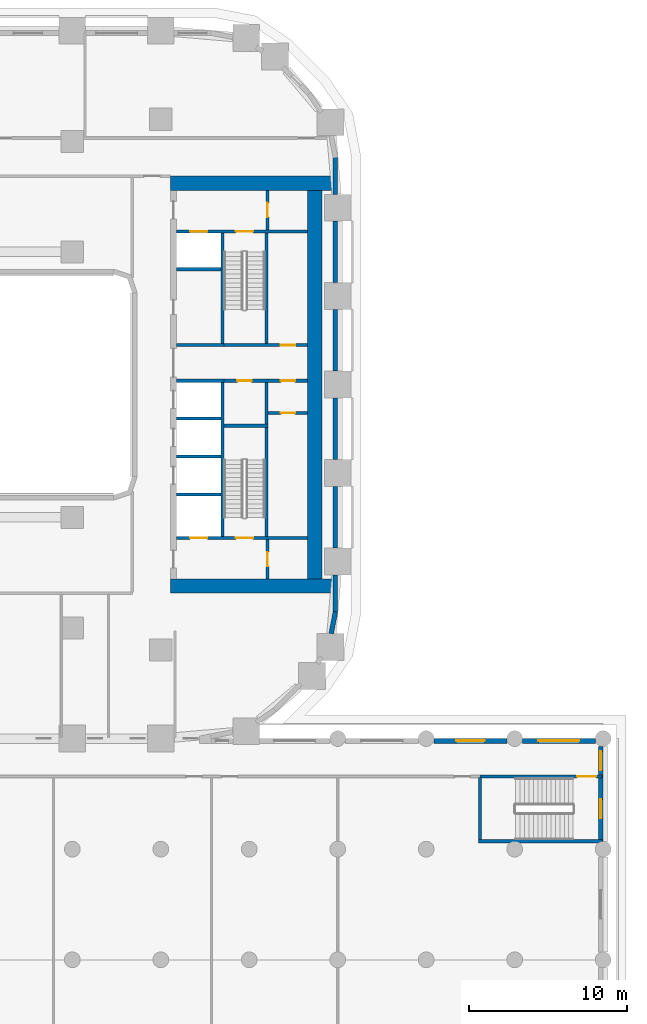
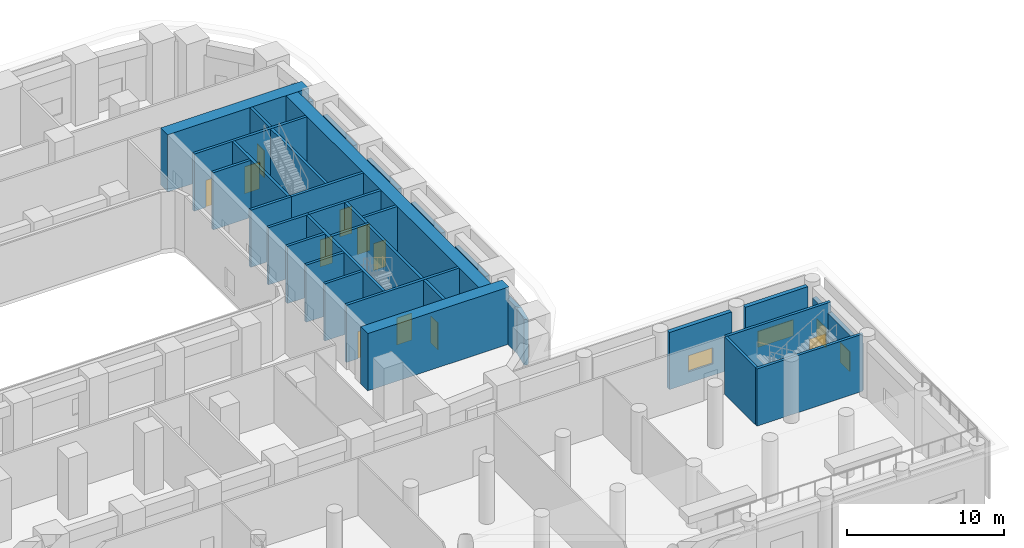
# One storey, part 12 of 23: 35 walls, 11 doors, 4 windows, 15 openings.
"""IFC4 building model written with IfcOpenShell, lengths in metres."""

from ifc_helpers import new_model, si_unit, direction, frame, frame_2d, origin, place, context, subcontext, project, spatial, rectangle, extrude, material, layer, layer_set, type_object, element, fill, save


model = new_model("IFC4")

# Units and contexts
model_context = context("Model", 3, precision=1e-05, world=origin(), true_north=direction((0.0, 1.0)))
body_context = subcontext(model_context, "Body", "Model", "MODEL_VIEW")
ifc_project = project(units=[si_unit("LENGTHUNIT", "METRE"), si_unit("AREAUNIT", "SQUARE_METRE"), si_unit("VOLUMEUNIT", "CUBIC_METRE"), si_unit("PLANEANGLEUNIT", "RADIAN"), si_unit("MASSUNIT", "GRAM", prefix="KILO")], contexts=[model_context])

# Site, building, storey
site_placement = place(None, origin())
site = spatial("IfcSite", under=ifc_project, at=site_placement, CompositionType="ELEMENT")
building_placement = place(site_placement, origin())
building = spatial("IfcBuilding", under=site, at=building_placement, Name="Kiln Ring Residences", CompositionType="ELEMENT")
storey_placement = place(building_placement, frame((0.0, 0.0, 16.10009765625)))
storey = spatial("IfcBuildingStorey", under=building, at=storey_placement, Name="L03", CompositionType="ELEMENT", Elevation=16.10009765625)

# Wall
ifc_material_1 = material(Name="Gypsum board on steel studs", Category="steel")
ifc_layer_1 = layer(ifc_material_1, 0.199951171875)
ifc_layer_set_1 = layer_set([ifc_layer_1], Name="CORE-PARTITION-200")
wall_type_1 = type_object("IfcWallType", Name="CORE-PARTITION-200", PredefinedType="PARTITIONING", material=ifc_layer_set_1)
wall_1_placement = place(storey_placement, frame((23.5, -2.5, 0.0), z_axis=(0.0, 0.0, 1.0), x_axis=(0.0, 1.0, 0.0)))
element("IfcWall", 1, at=wall_1_placement, inside=storey, type_object=wall_type_1, Name="Core partition east L03 1", PredefinedType="PARTITIONING", context=body_context, shape_type="SweptSolid", body=[
    extrude(rectangle(XDim=2.64990234375, YDim=0.199951171875, at=frame_2d((1.324951171875, 0.0))), origin(), (0.0, 0.0, 1.0), 4.449951171875),
])

# Wall, openings, doors
wall_2_placement = place(storey_placement, frame((20.800048828125, 0.25, 0.0), z_axis=(0.0, 0.0, 1.0), x_axis=(1.0, 0.0, 0.0)))
wall_2 = element("IfcWall", 2, at=wall_2_placement, inside=storey, type_object=wall_type_1, Name="Core partition east L03 2", PredefinedType="PARTITIONING", context=body_context, shape_type="SweptSolid", body=[
    extrude(rectangle(XDim=5.300048828125, YDim=0.199951171875, at=frame_2d((2.64990234375, 0.0))), origin(), (0.0, 0.0, 1.0), 4.449951171875),
])
opening_1_placement = place(wall_2_placement, frame((0.85009765625, 0.0, 0.0)))
opening_1 = element("IfcOpeningElement", 3, at=opening_1_placement, cuts=wall_2, Name="Opening L03-CE14", PredefinedType="OPENING", context=body_context, shape_type="SweptSolid", body=[
    extrude(rectangle(XDim=0.89990234375, YDim=2.10009765625, at=frame_2d((0.449951171875, 1.050048828125))), frame((0.0, 0.10986328125, 0.0), z_axis=(0.0, -1.0, 0.0), x_axis=(1.0, 0.0, 0.0)), (0.0, 0.0, 1.0), 0.219970703125),
])
opening_2_placement = place(wall_2_placement, frame((3.60009765625, 0.0, 0.0)))
opening_2 = element("IfcOpeningElement", 4, at=opening_2_placement, cuts=wall_2, Name="Opening L03-CE16", PredefinedType="OPENING", context=body_context, shape_type="SweptSolid", body=[
    extrude(rectangle(XDim=0.89990234375, YDim=2.10009765625, at=frame_2d((0.449951171875, 1.050048828125))), frame((0.0, 0.10986328125, 0.0), z_axis=(0.0, -1.0, 0.0), x_axis=(1.0, 0.0, 0.0)), (0.0, 0.0, 1.0), 0.219970703125),
])
ifc_material_2 = material(Name="Steel door leaf", Category="steel")
door_type_1 = type_object("IfcDoorType", Name="CORE-DOOR-ROOM", OperationType="SINGLE_SWING_LEFT", PredefinedType="DOOR", material=ifc_material_2)
door_1_placement = place(opening_1_placement, origin())
door_1 = element("IfcDoor", 5, at=door_1_placement, inside=storey, type_object=door_type_1, Name="Linen store L03-CE14", OperationType="SINGLE_SWING_LEFT", OverallHeight=2.10009765625, OverallWidth=0.89990234375, PredefinedType="DOOR", context=body_context, shape_type="SweptSolid", body=[
    extrude(rectangle(XDim=0.89990234375, YDim=2.10009765625, at=frame_2d((0.449951171875, 1.050048828125))), frame((0.0, 0.02490234375, 0.0), z_axis=(0.0, -1.0, 0.0), x_axis=(1.0, 0.0, 0.0)), (0.0, 0.0, 1.0), 0.050048828125),
])
fill(opening_1, door_1)
door_2_placement = place(opening_2_placement, origin())
door_2 = element("IfcDoor", 6, at=door_2_placement, inside=storey, type_object=door_type_1, Name="Pump and valve room L03-CE16", OperationType="SINGLE_SWING_LEFT", OverallHeight=2.10009765625, OverallWidth=0.89990234375, PredefinedType="DOOR", context=body_context, shape_type="SweptSolid", body=[
    extrude(rectangle(XDim=0.89990234375, YDim=2.10009765625, at=frame_2d((0.449951171875, 1.050048828125))), frame((0.0, 0.02490234375, 0.0), z_axis=(0.0, -1.0, 0.0), x_axis=(1.0, 0.0, 0.0)), (0.0, 0.0, 1.0), 0.050048828125),
])
fill(opening_2, door_2)

# Wall, opening, door
wall_3_placement = place(storey_placement, frame((23.550048828125, 9.800048828125, 0.0), z_axis=(0.0, 0.0, 1.0), x_axis=(0.0, 1.0, 0.0)))
wall_3 = element("IfcWall", 7, at=wall_3_placement, inside=storey, type_object=wall_type_1, Name="Core partition east L03 3", PredefinedType="PARTITIONING", context=body_context, shape_type="SweptSolid", body=[
    extrude(rectangle(XDim=2.5, YDim=0.199951171875, at=frame_2d((1.25, 0.0))), origin(), (0.0, 0.0, 1.0), 4.449951171875),
])
opening_3_placement = place(wall_3_placement, frame((0.800048828125, 0.0, 0.0)))
opening_3 = element("IfcOpeningElement", 8, at=opening_3_placement, cuts=wall_3, Name="Opening L03-CE09", PredefinedType="OPENING", context=body_context, shape_type="SweptSolid", body=[
    extrude(rectangle(XDim=0.89990234375, YDim=2.10009765625, at=frame_2d((0.449951171875, 1.050048828125))), frame((0.0, 0.10986328125, 0.0), z_axis=(0.0, -1.0, 0.0), x_axis=(1.0, 0.0, 0.0)), (0.0, 0.0, 1.0), 0.219970703125),
])
door_3_placement = place(opening_3_placement, origin())
door_3 = element("IfcDoor", 9, at=door_3_placement, inside=storey, type_object=door_type_1, Name="Fire riser room L03-CE09", OperationType="SINGLE_SWING_RIGHT", OverallHeight=2.10009765625, OverallWidth=0.89990234375, PredefinedType="DOOR", context=body_context, shape_type="SweptSolid", body=[
    extrude(rectangle(XDim=0.89990234375, YDim=2.10009765625, at=frame_2d((0.449951171875, 1.050048828125))), frame((0.0, 0.02490234375, 0.0), z_axis=(0.0, -1.0, 0.0), x_axis=(1.0, 0.0, 0.0)), (0.0, 0.0, 1.0), 0.050048828125),
])
fill(opening_3, door_3)

wall_4_placement = place(storey_placement, frame((23.550048828125, -12.300048828125, 0.0), z_axis=(0.0, 0.0, 1.0), x_axis=(0.0, 1.0, 0.0)))
wall_4 = element("IfcWall", 10, at=wall_4_placement, inside=storey, type_object=wall_type_1, Name="Core partition east L03 4", PredefinedType="PARTITIONING", context=body_context, shape_type="SweptSolid", body=[
    extrude(rectangle(XDim=2.5, YDim=0.199951171875, at=frame_2d((1.25, 0.0))), origin(), (0.0, 0.0, 1.0), 4.449951171875),
])
opening_4_placement = place(wall_4_placement, frame((0.800048828125, 0.0, 0.0)))
opening_4 = element("IfcOpeningElement", 11, at=opening_4_placement, cuts=wall_4, Name="Opening L03-CE10", PredefinedType="OPENING", context=body_context, shape_type="SweptSolid", body=[
    extrude(rectangle(XDim=0.89990234375, YDim=2.10009765625, at=frame_2d((0.449951171875, 1.050048828125))), frame((0.0, 0.10986328125, 0.0), z_axis=(0.0, -1.0, 0.0), x_axis=(1.0, 0.0, 0.0)), (0.0, 0.0, 1.0), 0.219970703125),
])
door_4_placement = place(opening_4_placement, origin())
door_4 = element("IfcDoor", 12, at=door_4_placement, inside=storey, type_object=door_type_1, Name="Store L03-CE10", OperationType="SINGLE_SWING_LEFT", OverallHeight=2.10009765625, OverallWidth=0.89990234375, PredefinedType="DOOR", context=body_context, shape_type="SweptSolid", body=[
    extrude(rectangle(XDim=0.89990234375, YDim=2.10009765625, at=frame_2d((0.449951171875, 1.050048828125))), frame((0.0, 0.02490234375, 0.0), z_axis=(0.0, -1.0, 0.0), x_axis=(1.0, 0.0, 0.0)), (0.0, 0.0, 1.0), 0.050048828125),
])
fill(opening_4, door_4)

wall_5_placement = place(storey_placement, frame((23.60009765625, -1.800048828125, 0.0), z_axis=(0.0, 0.0, 1.0), x_axis=(1.0, 0.0, 0.0)))
wall_5 = element("IfcWall", 13, at=wall_5_placement, inside=storey, type_object=wall_type_1, Name="Core partition east L03 5", PredefinedType="PARTITIONING", context=body_context, shape_type="SweptSolid", body=[
    extrude(rectangle(XDim=2.5, YDim=0.199951171875, at=frame_2d((1.25, 0.0))), origin(), (0.0, 0.0, 1.0), 4.449951171875),
])
opening_5_placement = place(wall_5_placement, frame((0.800048828125, 0.0, 0.0)))
opening_5 = element("IfcOpeningElement", 14, at=opening_5_placement, cuts=wall_5, Name="Opening L03-CE15", PredefinedType="OPENING", context=body_context, shape_type="SweptSolid", body=[
    extrude(rectangle(XDim=0.89990234375, YDim=2.10009765625, at=frame_2d((0.449951171875, 1.050048828125))), frame((0.0, 0.10986328125, 0.0), z_axis=(0.0, -1.0, 0.0), x_axis=(1.0, 0.0, 0.0)), (0.0, 0.0, 1.0), 0.219970703125),
])
door_5_placement = place(opening_5_placement, origin())
door_5 = element("IfcDoor", 15, at=door_5_placement, inside=storey, type_object=door_type_1, Name="Pump and valve room L03-CE15", OperationType="SINGLE_SWING_LEFT", OverallHeight=2.10009765625, OverallWidth=0.89990234375, PredefinedType="DOOR", context=body_context, shape_type="SweptSolid", body=[
    extrude(rectangle(XDim=0.89990234375, YDim=2.10009765625, at=frame_2d((0.449951171875, 1.050048828125))), frame((0.0, 0.02490234375, 0.0), z_axis=(0.0, -1.0, 0.0), x_axis=(1.0, 0.0, 0.0)), (0.0, 0.0, 1.0), 0.050048828125),
])
fill(opening_5, door_5)

# Walls
ifc_material_3 = material(Name="Gypsum shaft wall system")
ifc_layer_2 = layer(ifc_material_3, 0.199951171875)
ifc_layer_set_2 = layer_set([ifc_layer_2], Name="CORE-SHAFT-WALL-200")
wall_type_2 = type_object("IfcWallType", Name="CORE-SHAFT-WALL-200", PredefinedType="PARTITIONING", material=ifc_layer_set_2)
for number, where, z_axis, x_axis, name in (
    (16, (17.800048828125, -6.949951171875, 0.0), (0.0, 0.0, 1.0), (1.0, 0.0, 0.0), "Core partition east L03 6"),
    (17, (17.800048828125, -4.550048828125, 0.0), (0.0, 0.0, 1.0), (1.0, 0.0, 0.0), "Core partition east L03 7"),
    (18, (17.800048828125, -2.14990234375, 0.0), (0.0, 0.0, 1.0), (1.0, 0.0, 0.0), "Core partition east L03 8"),
):
    element("IfcWall", number, at=place(storey_placement, frame(where, z_axis=z_axis, x_axis=x_axis)), inside=storey, type_object=wall_type_2, Name=name, PredefinedType="PARTITIONING", context=body_context, shape_type="SweptSolid", body=[
        extrude(rectangle(XDim=2.800048828125, YDim=0.199951171875, at=frame_2d((1.39990234375, 0.0))), origin(), (0.0, 0.0, 1.0), 4.449951171875),
    ])
for number, where, z_axis, x_axis, name in (
    (19, (17.800048828125, 0.25, 0.0), (0.0, 0.0, 1.0), (1.0, 0.0, 0.0), "Core partition east L03 9"),
    (20, (17.800048828125, 2.5, 0.0), (0.0, 0.0, 1.0), (1.0, 0.0, 0.0), "Core partition east L03 10"),
):
    element("IfcWall", number, at=place(storey_placement, frame(where, z_axis=z_axis, x_axis=x_axis)), inside=storey, type_object=wall_type_2, Name=name, PredefinedType="PARTITIONING", context=body_context, shape_type="SweptSolid", body=[
        extrude(rectangle(XDim=3.0, YDim=0.199951171875, at=frame_2d((1.5, 0.0))), origin(), (0.0, 0.0, 1.0), 4.449951171875),
    ])
wall_6_placement = place(storey_placement, frame((17.800048828125, 7.300048828125, 0.0), z_axis=(0.0, 0.0, 1.0), x_axis=(1.0, 0.0, 0.0)))
element("IfcWall", 21, at=wall_6_placement, inside=storey, type_object=wall_type_2, Name="Core partition east L03 11", PredefinedType="PARTITIONING", context=body_context, shape_type="SweptSolid", body=[
    extrude(rectangle(XDim=2.800048828125, YDim=0.199951171875, at=frame_2d((1.39990234375, 0.0))), origin(), (0.0, 0.0, 1.0), 4.449951171875),
])
ifc_material_4 = material(Name="Concrete C40/50", Category="concrete")
ifc_layer_3 = layer(ifc_material_4, 0.199951171875)
ifc_layer_set_3 = layer_set([ifc_layer_3], Name="CORE-WALL-RC200")
wall_type_3 = type_object("IfcWallType", Name="CORE-WALL-RC200", PredefinedType="SHEAR", material=ifc_layer_set_3)
wall_7_placement = place(storey_placement, frame((20.699951171875, 2.60009765625, 0.0), z_axis=(0.0, 0.0, 1.0), x_axis=(0.0, 1.0, 0.0)))
element("IfcWall", 22, at=wall_7_placement, inside=storey, type_object=wall_type_3, Name="Core wall east L03 1", PredefinedType="SHEAR", context=body_context, shape_type="SweptSolid", body=[
    extrude(rectangle(XDim=7.0, YDim=0.199951171875, at=frame_2d((3.5, 0.0))), origin(), (0.0, 0.0, 1.0), 4.449951171875),
])
wall_8_placement = place(storey_placement, frame((20.699951171875, -9.60009765625, 0.0), z_axis=(0.0, 0.0, 1.0), x_axis=(0.0, 1.0, 0.0)))
element("IfcWall", 23, at=wall_8_placement, inside=storey, type_object=wall_type_3, Name="Core wall east L03 2", PredefinedType="SHEAR", context=body_context, shape_type="SweptSolid", body=[
    extrude(rectangle(XDim=9.75, YDim=0.199951171875, at=frame_2d((4.875, 0.0))), origin(), (0.0, 0.0, 1.0), 4.449951171875),
])

# Wall, opening, door
wall_9_placement = place(storey_placement, frame((20.800048828125, 2.5, 0.0), z_axis=(0.0, 0.0, 1.0), x_axis=(1.0, 0.0, 0.0)))
wall_9 = element("IfcWall", 24, at=wall_9_placement, inside=storey, type_object=wall_type_3, Name="Core wall east L03 3", PredefinedType="SHEAR", context=body_context, shape_type="SweptSolid", body=[
    extrude(rectangle(XDim=5.300048828125, YDim=0.199951171875, at=frame_2d((2.64990234375, 0.0))), origin(), (0.0, 0.0, 1.0), 4.449951171875),
])
opening_6_placement = place(wall_9_placement, frame((3.60009765625, 0.0, 0.0)))
opening_6 = element("IfcOpeningElement", 25, at=opening_6_placement, cuts=wall_9, Name="Opening L03-CE17", PredefinedType="OPENING", context=body_context, shape_type="SweptSolid", body=[
    extrude(rectangle(XDim=0.89990234375, YDim=2.10009765625, at=frame_2d((0.449951171875, 1.050048828125))), frame((0.0, 0.10986328125, 0.0), z_axis=(0.0, -1.0, 0.0), x_axis=(1.0, 0.0, 0.0)), (0.0, 0.0, 1.0), 0.219970703125),
])
door_6_placement = place(opening_6_placement, origin())
door_6 = element("IfcDoor", 26, at=door_6_placement, inside=storey, type_object=door_type_1, Name="Electrical plant room L03-CE17", OperationType="SINGLE_SWING_LEFT", OverallHeight=2.10009765625, OverallWidth=0.89990234375, PredefinedType="DOOR", context=body_context, shape_type="SweptSolid", body=[
    extrude(rectangle(XDim=0.89990234375, YDim=2.10009765625, at=frame_2d((0.449951171875, 1.050048828125))), frame((0.0, 0.02490234375, 0.0), z_axis=(0.0, -1.0, 0.0), x_axis=(1.0, 0.0, 0.0)), (0.0, 0.0, 1.0), 0.050048828125),
])
fill(opening_6, door_6)

# Wall, openings, doors
wall_10_placement = place(storey_placement, frame((17.800048828125, -9.699951171875, 0.0), z_axis=(0.0, 0.0, 1.0), x_axis=(1.0, 0.0, 0.0)))
wall_10 = element("IfcWall", 27, at=wall_10_placement, inside=storey, type_object=wall_type_3, Name="Core wall east L03 8", PredefinedType="SHEAR", context=body_context, shape_type="SweptSolid", body=[
    extrude(rectangle(XDim=8.300048828125, YDim=0.199951171875, at=frame_2d((4.14990234375, 0.0))), origin(), (0.0, 0.0, 1.0), 4.449951171875),
])
opening_7_placement = place(wall_10_placement, frame((0.85009765625, 0.0, 0.0)))
opening_7 = element("IfcOpeningElement", 28, at=opening_7_placement, cuts=wall_10, Name="Opening L03-CE01", PredefinedType="OPENING", context=body_context, shape_type="SweptSolid", body=[
    extrude(rectangle(XDim=1.10009765625, YDim=2.10009765625, at=frame_2d((0.550048828125, 1.050048828125))), frame((0.0, 0.10986328125, 0.0), z_axis=(0.0, -1.0, 0.0), x_axis=(1.0, 0.0, 0.0)), (0.0, 0.0, 1.0), 0.219970703125),
])
opening_8_placement = place(wall_10_placement, frame((3.75, 0.0, 0.0)))
opening_8 = element("IfcOpeningElement", 29, at=opening_8_placement, cuts=wall_10, Name="Opening L03-CE12", PredefinedType="OPENING", context=body_context, shape_type="SweptSolid", body=[
    extrude(rectangle(XDim=1.10009765625, YDim=2.10009765625, at=frame_2d((0.550048828125, 1.050048828125))), frame((0.0, 0.10986328125, 0.0), z_axis=(0.0, -1.0, 0.0), x_axis=(1.0, 0.0, 0.0)), (0.0, 0.0, 1.0), 0.219970703125),
])
ifc_material_5 = material(Name="Steel door leaf", Category="steel")
door_type_2 = type_object("IfcDoorType", Name="CORE-DOOR-LD", OperationType="DOUBLE_DOOR_SLIDING", PredefinedType="DOOR", material=ifc_material_5)
door_7_placement = place(opening_7_placement, origin())
door_7 = element("IfcDoor", 30, at=door_7_placement, inside=storey, type_object=door_type_2, Name="LD E-SV L03-CE01", OperationType="DOUBLE_DOOR_SLIDING", OverallHeight=2.10009765625, OverallWidth=1.10009765625, PredefinedType="DOOR", context=body_context, shape_type="SweptSolid", body=[
    extrude(rectangle(XDim=1.10009765625, YDim=2.10009765625, at=frame_2d((0.550048828125, 1.050048828125))), frame((0.0, 0.02490234375, 0.0), z_axis=(0.0, -1.0, 0.0), x_axis=(1.0, 0.0, 0.0)), (0.0, 0.0, 1.0), 0.050048828125),
])
fill(opening_7, door_7)
ifc_material_6 = material(Name="Steel door leaf", Category="steel")
door_type_3 = type_object("IfcDoorType", Name="CORE-DOOR-STAIR", OperationType="SINGLE_SWING_LEFT", PredefinedType="DOOR", material=ifc_material_6)
door_8_placement = place(opening_8_placement, origin())
door_8 = element("IfcDoor", 31, at=door_8_placement, inside=storey, type_object=door_type_3, Name="Stair E-STS L03-CE12", OperationType="SINGLE_SWING_RIGHT", OverallHeight=2.10009765625, OverallWidth=1.10009765625, PredefinedType="DOOR", context=body_context, shape_type="SweptSolid", body=[
    extrude(rectangle(XDim=1.10009765625, YDim=2.10009765625, at=frame_2d((0.550048828125, 1.050048828125))), frame((0.0, 0.02490234375, 0.0), z_axis=(0.0, -1.0, 0.0), x_axis=(1.0, 0.0, 0.0)), (0.0, 0.0, 1.0), 0.050048828125),
])
fill(opening_8, door_8)

wall_11_placement = place(storey_placement, frame((17.800048828125, 9.699951171875, 0.0), z_axis=(0.0, 0.0, 1.0), x_axis=(1.0, 0.0, 0.0)))
wall_11 = element("IfcWall", 32, at=wall_11_placement, inside=storey, type_object=wall_type_3, Name="Core wall east L03 9", PredefinedType="SHEAR", context=body_context, shape_type="SweptSolid", body=[
    extrude(rectangle(XDim=8.300048828125, YDim=0.199951171875, at=frame_2d((4.14990234375, 0.0))), origin(), (0.0, 0.0, 1.0), 4.449951171875),
])
opening_9_placement = place(wall_11_placement, frame((0.85009765625, 0.0, 0.0)))
opening_9 = element("IfcOpeningElement", 33, at=opening_9_placement, cuts=wall_11, Name="Opening L03-CE06", PredefinedType="OPENING", context=body_context, shape_type="SweptSolid", body=[
    extrude(rectangle(XDim=1.10009765625, YDim=2.10009765625, at=frame_2d((0.550048828125, 1.050048828125))), frame((0.0, 0.10986328125, 0.0), z_axis=(0.0, -1.0, 0.0), x_axis=(1.0, 0.0, 0.0)), (0.0, 0.0, 1.0), 0.219970703125),
])
opening_10_placement = place(wall_11_placement, frame((3.75, 0.0, 0.0)))
opening_10 = element("IfcOpeningElement", 34, at=opening_10_placement, cuts=wall_11, Name="Opening L03-CE11", PredefinedType="OPENING", context=body_context, shape_type="SweptSolid", body=[
    extrude(rectangle(XDim=1.10009765625, YDim=2.10009765625, at=frame_2d((0.550048828125, 1.050048828125))), frame((0.0, 0.10986328125, 0.0), z_axis=(0.0, -1.0, 0.0), x_axis=(1.0, 0.0, 0.0)), (0.0, 0.0, 1.0), 0.219970703125),
])
door_9_placement = place(opening_9_placement, origin())
door_9 = element("IfcDoor", 35, at=door_9_placement, inside=storey, type_object=door_type_2, Name="LD E-FF L03-CE06", OperationType="DOUBLE_DOOR_SLIDING", OverallHeight=2.10009765625, OverallWidth=1.10009765625, PredefinedType="DOOR", context=body_context, shape_type="SweptSolid", body=[
    extrude(rectangle(XDim=1.10009765625, YDim=2.10009765625, at=frame_2d((0.550048828125, 1.050048828125))), frame((0.0, 0.02490234375, 0.0), z_axis=(0.0, -1.0, 0.0), x_axis=(1.0, 0.0, 0.0)), (0.0, 0.0, 1.0), 0.050048828125),
])
fill(opening_9, door_9)
door_10_placement = place(opening_10_placement, origin())
door_10 = element("IfcDoor", 36, at=door_10_placement, inside=storey, type_object=door_type_3, Name="Stair E-STN L03-CE11", OperationType="SINGLE_SWING_RIGHT", OverallHeight=2.10009765625, OverallWidth=1.10009765625, PredefinedType="DOOR", context=body_context, shape_type="SweptSolid", body=[
    extrude(rectangle(XDim=1.10009765625, YDim=2.10009765625, at=frame_2d((0.550048828125, 1.050048828125))), frame((0.0, 0.02490234375, 0.0), z_axis=(0.0, -1.0, 0.0), x_axis=(1.0, 0.0, 0.0)), (0.0, 0.0, 1.0), 0.050048828125),
])
fill(opening_10, door_10)

# Walls
wall_12_placement = place(storey_placement, frame((23.5, 2.60009765625, 0.0), z_axis=(0.0, 0.0, 1.0), x_axis=(0.0, 1.0, 0.0)))
element("IfcWall", 37, at=wall_12_placement, inside=storey, type_object=wall_type_3, Name="Core wall east L03 10", PredefinedType="SHEAR", context=body_context, shape_type="SweptSolid", body=[
    extrude(rectangle(XDim=7.0, YDim=0.199951171875, at=frame_2d((3.5, 0.0))), origin(), (0.0, 0.0, 1.0), 4.449951171875),
])
wall_13_placement = place(storey_placement, frame((23.5, -9.60009765625, 0.0), z_axis=(0.0, 0.0, 1.0), x_axis=(0.0, 1.0, 0.0)))
element("IfcWall", 38, at=wall_13_placement, inside=storey, type_object=wall_type_3, Name="Core wall east L03 11", PredefinedType="SHEAR", context=body_context, shape_type="SweptSolid", body=[
    extrude(rectangle(XDim=6.900146484375, YDim=0.199951171875, at=frame_2d((3.4501953125, 0.0))), origin(), (0.0, 0.0, 1.0), 4.449951171875),
])
wall_14_placement = place(storey_placement, frame((20.800048828125, -2.60009765625, 0.0), z_axis=(0.0, 0.0, 1.0), x_axis=(1.0, 0.0, 0.0)))
element("IfcWall", 39, at=wall_14_placement, inside=storey, type_object=wall_type_3, Name="Core wall east L03 12", PredefinedType="SHEAR", context=body_context, shape_type="SweptSolid", body=[
    extrude(rectangle(XDim=2.800048828125, YDim=0.199951171875, at=frame_2d((1.39990234375, 0.0))), origin(), (0.0, 0.0, 1.0), 4.449951171875),
])
ifc_material_7 = material(Name="Concrete C60/75", Category="concrete")
ifc_layer_4 = layer(ifc_material_7, 0.89990234375)
ifc_layer_set_4 = layer_set([ifc_layer_4], Name="CORE-WALL-RC900")
wall_type_4 = type_object("IfcWallType", Name="CORE-WALL-RC900", PredefinedType="SHEAR", material=ifc_layer_set_4)
for number, where, z_axis, x_axis, name in (
    (40, (17.39990234375, 12.75, 0.0), (0.0, 0.0, 1.0), (1.0, 0.0, 0.0), "Core wall east L03 4"),
    (41, (17.39990234375, -12.75, 0.0), (0.0, 0.0, 1.0), (1.0, 0.0, 0.0), "Core wall east L03 5"),
):
    element("IfcWall", number, at=place(storey_placement, frame(where, z_axis=z_axis, x_axis=x_axis)), inside=storey, type_object=wall_type_4, Name=name, PredefinedType="SHEAR", context=body_context, shape_type="SweptSolid", body=[
        extrude(rectangle(XDim=10.400146484375, YDim=0.89990234375, at=frame_2d((5.2001953125, 0.0))), origin(), (0.0, 0.0, 1.0), 4.449951171875),
    ])
wall_15_placement = place(storey_placement, frame((26.550048828125, -12.300048828125, 0.0), z_axis=(0.0, 0.0, 1.0), x_axis=(0.0, 1.0, 0.0)))
element("IfcWall", 42, at=wall_15_placement, inside=storey, type_object=wall_type_4, Name="Core wall east L03 7", PredefinedType="SHEAR", context=body_context, shape_type="SweptSolid", body=[
    extrude(rectangle(XDim=24.60009765625, YDim=0.89990234375, at=frame_2d((12.300048828125, 0.0))), origin(), (0.0, 0.0, 1.0), 4.449951171875),
])

# Wall, openings, windows
ifc_material_8 = material(Name="Brick masonry, dark clay brick", Category="masonry")
ifc_layer_5 = layer(ifc_material_8, 0.300048828125)
ifc_layer_set_5 = layer_set([ifc_layer_5], Name="EW-300 BRICK WALL")
wall_type_5 = type_object("IfcWallType", Name="EW-300 BRICK WALL", PredefinedType="SOLIDWALL", material=ifc_layer_set_5)
wall_16_placement = place(storey_placement, frame((44.64990234375, -28.89990234375, 0.0), z_axis=(0.0, 0.0, 1.0), x_axis=(0.0, 1.0, 0.0)))
wall_16 = element("IfcWall", 43, at=wall_16_placement, inside=storey, type_object=wall_type_5, Name="Facade wall L03 3", PredefinedType="SOLIDWALL", context=body_context, shape_type="SweptSolid", body=[
    extrude(rectangle(XDim=6.0, YDim=0.300048828125, at=frame_2d((3.0, 0.0))), origin(), (0.0, 0.0, 1.0), 3.64990234375),
])
opening_11_placement = place(wall_16_placement, frame((1.449951171875, 0.0, 0.60009765625)))
opening_11 = element("IfcOpeningElement", 44, at=opening_11_placement, cuts=wall_16, Name="Opening W1", PredefinedType="OPENING", context=body_context, shape_type="SweptSolid", body=[
    extrude(rectangle(XDim=1.199951171875, YDim=1.550048828125, at=frame_2d((0.60009765625, 0.77490234375))), frame((0.0, 0.159912109375, 0.0), z_axis=(0.0, -1.0, 0.0), x_axis=(1.0, 0.0, 0.0)), (0.0, 0.0, 1.0), 0.320068359375),
])
opening_12_placement = place(wall_16_placement, frame((4.487548828125, 0.0, 0.60009765625)))
opening_12 = element("IfcOpeningElement", 45, at=opening_12_placement, cuts=wall_16, Name="Opening W1", PredefinedType="OPENING", context=body_context, shape_type="SweptSolid", body=[
    extrude(rectangle(XDim=1.199951171875, YDim=1.550048828125, at=frame_2d((0.60009765625, 0.77490234375))), frame((0.0, 0.159912109375, 0.0), z_axis=(0.0, -1.0, 0.0), x_axis=(1.0, 0.0, 0.0)), (0.0, 0.0, 1.0), 0.320068359375),
])
ifc_material_9 = material(Name="Aluminium frame with double glazing", Category="aluminium")
window_type_1 = type_object("IfcWindowType", Name="WINDOW 1200 x 1550", PartitioningType="SINGLE_PANEL", PredefinedType="WINDOW", material=ifc_material_9)
window_1_placement = place(opening_11_placement, origin())
window_1 = element("IfcWindow", 46, at=window_1_placement, inside=storey, type_object=window_type_1, Name="Window L03 3", OverallHeight=1.550048828125, OverallWidth=1.199951171875, PartitioningType="SINGLE_PANEL", PredefinedType="WINDOW", context=body_context, shape_type="SweptSolid", body=[
    extrude(rectangle(XDim=1.199951171875, YDim=1.550048828125, at=frame_2d((0.60009765625, 0.77490234375))), frame((0.0, 0.030029296875, 0.0), z_axis=(0.0, -1.0, 0.0), x_axis=(1.0, 0.0, 0.0)), (0.0, 0.0, 1.0), 0.06005859375),
])
fill(opening_11, window_1)
window_2_placement = place(opening_12_placement, origin())
window_2 = element("IfcWindow", 47, at=window_2_placement, inside=storey, type_object=window_type_1, Name="Window L03 4", OverallHeight=1.550048828125, OverallWidth=1.199951171875, PartitioningType="SINGLE_PANEL", PredefinedType="WINDOW", context=body_context, shape_type="SweptSolid", body=[
    extrude(rectangle(XDim=1.199951171875, YDim=1.550048828125, at=frame_2d((0.60009765625, 0.77490234375))), frame((0.0, 0.030029296875, 0.0), z_axis=(0.0, -1.0, 0.0), x_axis=(1.0, 0.0, 0.0)), (0.0, 0.0, 1.0), 0.06005859375),
])
fill(opening_12, window_2)

# Wall, opening, window
wall_17_placement = place(storey_placement, frame((44.300048828125, -22.550048828125, 0.0), z_axis=(0.0, 0.0, 1.0), x_axis=(-1.0, 0.0, 0.0)))
wall_17 = element("IfcWall", 48, at=wall_17_placement, inside=storey, type_object=wall_type_5, Name="Facade wall L03 4", PredefinedType="SOLIDWALL", context=body_context, shape_type="SweptSolid", body=[
    extrude(rectangle(XDim=4.60009765625, YDim=0.300048828125, at=frame_2d((2.300048828125, 0.0))), origin(), (0.0, 0.0, 1.0), 4.449951171875),
])
opening_13_placement = place(wall_17_placement, frame((1.0, 0.0, 0.89990234375)))
opening_13 = element("IfcOpeningElement", 49, at=opening_13_placement, cuts=wall_17, Name="Opening W3", PredefinedType="OPENING", context=body_context, shape_type="SweptSolid", body=[
    extrude(rectangle(XDim=2.60009765625, YDim=1.25, at=frame_2d((1.300048828125, 0.625))), frame((0.0, 0.159912109375, 0.0), z_axis=(0.0, -1.0, 0.0), x_axis=(1.0, 0.0, 0.0)), (0.0, 0.0, 1.0), 0.320068359375),
])
ifc_material_10 = material(Name="Aluminium frame with double glazing", Category="aluminium")
window_type_2 = type_object("IfcWindowType", Name="WINDOW 2600 x 1250", PartitioningType="SINGLE_PANEL", PredefinedType="WINDOW", material=ifc_material_10)
window_3_placement = place(opening_13_placement, origin())
window_3 = element("IfcWindow", 50, at=window_3_placement, inside=storey, type_object=window_type_2, Name="Window L03 5", OverallHeight=1.25, OverallWidth=2.60009765625, PartitioningType="SINGLE_PANEL", PredefinedType="WINDOW", context=body_context, shape_type="SweptSolid", body=[
    extrude(rectangle(XDim=2.60009765625, YDim=1.25, at=frame_2d((1.300048828125, 0.625))), frame((0.0, 0.030029296875, 0.0), z_axis=(0.0, -1.0, 0.0), x_axis=(1.0, 0.0, 0.0)), (0.0, 0.0, 1.0), 0.06005859375),
])
fill(opening_13, window_3)

wall_18_placement = place(storey_placement, frame((38.699951171875, -22.550048828125, 0.0), z_axis=(0.0, 0.0, 1.0), x_axis=(-1.0, 0.0, 0.0)))
wall_18 = element("IfcWall", 51, at=wall_18_placement, inside=storey, type_object=wall_type_5, Name="Facade wall L03 5", PredefinedType="SOLIDWALL", context=body_context, shape_type="SweptSolid", body=[
    extrude(rectangle(XDim=4.599853515625, YDim=0.300048828125, at=frame_2d((2.2998046875, 0.0))), origin(), (0.0, 0.0, 1.0), 4.449951171875),
])
opening_14_placement = place(wall_18_placement, frame((1.39990234375, 0.0, 0.89990234375)))
opening_14 = element("IfcOpeningElement", 52, at=opening_14_placement, cuts=wall_18, Name="Opening W2", PredefinedType="OPENING", context=body_context, shape_type="SweptSolid", body=[
    extrude(rectangle(XDim=1.800048828125, YDim=1.25, at=frame_2d((0.89990234375, 0.625))), frame((0.0, 0.159912109375, 0.0), z_axis=(0.0, -1.0, 0.0), x_axis=(1.0, 0.0, 0.0)), (0.0, 0.0, 1.0), 0.320068359375),
])
ifc_material_11 = material(Name="Aluminium frame with double glazing", Category="aluminium")
window_type_3 = type_object("IfcWindowType", Name="WINDOW 1800 x 1250", PartitioningType="SINGLE_PANEL", PredefinedType="WINDOW", material=ifc_material_11)
window_4_placement = place(opening_14_placement, origin())
window_4 = element("IfcWindow", 53, at=window_4_placement, inside=storey, type_object=window_type_3, Name="Window L03 6", OverallHeight=1.25, OverallWidth=1.800048828125, PartitioningType="SINGLE_PANEL", PredefinedType="WINDOW", context=body_context, shape_type="SweptSolid", body=[
    extrude(rectangle(XDim=1.800048828125, YDim=1.25, at=frame_2d((0.89990234375, 0.625))), frame((0.0, 0.030029296875, 0.0), z_axis=(0.0, -1.0, 0.0), x_axis=(1.0, 0.0, 0.0)), (0.0, 0.0, 1.0), 0.06005859375),
])
fill(opening_14, window_4)

# Walls
wall_19_placement = place(storey_placement, frame((27.589111328125, -15.753173828125, 0.0), z_axis=(0.0, 0.0, 1.0), x_axis=(0.187327504018, 0.982297514116, 0.0)))
element("IfcWall", 54, at=wall_19_placement, inside=storey, type_object=wall_type_5, Name="Facade wall L03 13", PredefinedType="SOLIDWALL", context=body_context, shape_type="SweptSolid", body=[
    extrude(rectangle(XDim=1.40625, YDim=0.300048828125, at=frame_2d((0.703125, 0.0))), origin(), (0.0, 0.0, 1.0), 3.5498046875),
])
wall_20_placement = place(storey_placement, frame((27.85009765625, -14.39990234375, 0.0), z_axis=(0.0, 0.0, 1.0), x_axis=(0.0, 1.0, 0.0)))
element("IfcWall", 55, at=wall_20_placement, inside=storey, type_object=wall_type_5, Name="Facade wall L03 14", PredefinedType="SOLIDWALL", context=body_context, shape_type="SweptSolid", body=[
    extrude(rectangle(XDim=2.349853515625, YDim=0.300048828125, at=frame_2d((1.1748046875, 0.0))), origin(), (0.0, 0.0, 1.0), 3.5498046875),
])
wall_21_placement = place(storey_placement, frame((27.85009765625, -10.35009765625, 0.0), z_axis=(0.0, 0.0, 1.0), x_axis=(0.0, 1.0, 0.0)))
element("IfcWall", 56, at=wall_21_placement, inside=storey, type_object=wall_type_5, Name="Facade wall L03 15", PredefinedType="SOLIDWALL", context=body_context, shape_type="SweptSolid", body=[
    extrude(rectangle(XDim=3.900146484375, YDim=0.300048828125, at=frame_2d((1.9501953125, 0.0))), origin(), (0.0, 0.0, 1.0), 3.5498046875),
])
for number, where, z_axis, x_axis, name in (
    (57, (27.85009765625, -4.75, 0.0), (0.0, 0.0, 1.0), (0.0, 1.0, 0.0), "Facade wall L03 16"),
    (58, (27.85009765625, 0.85009765625, 0.0), (0.0, 0.0, 1.0), (0.0, 1.0, 0.0), "Facade wall L03 17"),
):
    element("IfcWall", number, at=place(storey_placement, frame(where, z_axis=z_axis, x_axis=x_axis)), inside=storey, type_object=wall_type_5, Name=name, PredefinedType="SOLIDWALL", context=body_context, shape_type="SweptSolid", body=[
        extrude(rectangle(XDim=3.89990234375, YDim=0.300048828125, at=frame_2d((1.949951171875, 0.0))), origin(), (0.0, 0.0, 1.0), 3.5498046875),
    ])
wall_22_placement = place(storey_placement, frame((27.85009765625, 6.449951171875, 0.0), z_axis=(0.0, 0.0, 1.0), x_axis=(0.0, 1.0, 0.0)))
element("IfcWall", 59, at=wall_22_placement, inside=storey, type_object=wall_type_5, Name="Facade wall L03 18", PredefinedType="SOLIDWALL", context=body_context, shape_type="SweptSolid", body=[
    extrude(rectangle(XDim=3.900146484375, YDim=0.300048828125, at=frame_2d((1.9501953125, 0.0))), origin(), (0.0, 0.0, 1.0), 3.5498046875),
])
wall_23_placement = place(storey_placement, frame((27.85009765625, 12.050048828125, 0.0), z_axis=(0.0, 0.0, 1.0), x_axis=(0.0, 1.0, 0.0)))
element("IfcWall", 60, at=wall_23_placement, inside=storey, type_object=wall_type_5, Name="Facade wall L03 19", PredefinedType="SOLIDWALL", context=body_context, shape_type="SweptSolid", body=[
    extrude(rectangle(XDim=2.349853515625, YDim=0.300048828125, at=frame_2d((1.1748046875, 0.0))), origin(), (0.0, 0.0, 1.0), 3.5498046875),
])
ifc_material_12 = material(Name="Concrete C40/50", Category="concrete")
ifc_layer_6 = layer(ifc_material_12, 0.199951171875)
ifc_layer_set_6 = layer_set([ifc_layer_6], Name="PODIUM-STAIR-WALL-200")
wall_type_6 = type_object("IfcWallType", Name="PODIUM-STAIR-WALL-200", PredefinedType="SHEAR", material=ifc_layer_set_6)
wall_24_placement = place(storey_placement, frame((36.89990234375, -28.89990234375, 0.0), z_axis=(0.0, 0.0, 1.0), x_axis=(1.0, 0.0, 0.0)))
element("IfcWall", 61, at=wall_24_placement, inside=storey, type_object=wall_type_6, Name="Stair wall 001", PredefinedType="SHEAR", context=body_context, shape_type="SweptSolid", body=[
    extrude(rectangle(XDim=7.81005859375, YDim=0.199951171875, at=frame_2d((3.905029296875, 0.0))), origin(), (0.0, 0.0, 1.0), 4.449951171875),
])

# Wall, opening, door
wall_25_placement = place(storey_placement, frame((37.0, -24.800048828125, 0.0), z_axis=(0.0, 0.0, 1.0), x_axis=(1.0, 0.0, 0.0)))
wall_25 = element("IfcWall", 62, at=wall_25_placement, inside=storey, type_object=wall_type_6, Name="Stair wall 004", PredefinedType="SHEAR", context=body_context, shape_type="SweptSolid", body=[
    extrude(rectangle(XDim=7.7099609375, YDim=0.199951171875, at=frame_2d((3.85498046875, 0.0))), origin(), (0.0, 0.0, 1.0), 4.449951171875),
])
opening_15_placement = place(wall_25_placement, frame((6.14990234375, 0.0, 0.0)))
opening_15 = element("IfcOpeningElement", 63, at=opening_15_placement, cuts=wall_25, Name="Opening L03-D007", PredefinedType="OPENING", context=body_context, shape_type="SweptSolid", body=[
    extrude(rectangle(XDim=1.199951171875, YDim=2.10009765625, at=frame_2d((0.60009765625, 1.050048828125))), frame((0.0, 0.10986328125, 0.0), z_axis=(0.0, -1.0, 0.0), x_axis=(1.0, 0.0, 0.0)), (0.0, 0.0, 1.0), 0.219970703125),
])
ifc_material_13 = material(Name="Steel faced fire door leaf", Category="steel")
door_type_4 = type_object("IfcDoorType", Name="FLAT-DOOR-1200-FR", OperationType="SINGLE_SWING_LEFT", PredefinedType="DOOR", material=ifc_material_13)
door_11_placement = place(opening_15_placement, origin())
door_11 = element("IfcDoor", 64, at=door_11_placement, inside=storey, type_object=door_type_4, Name="Door L03-D007", OperationType="SINGLE_SWING_RIGHT", OverallHeight=2.10009765625, OverallWidth=1.199951171875, PredefinedType="DOOR", context=body_context, shape_type="SweptSolid", body=[
    extrude(rectangle(XDim=1.199951171875, YDim=2.10009765625, at=frame_2d((0.60009765625, 1.050048828125))), frame((0.0, 0.02490234375, 0.0), z_axis=(0.0, -1.0, 0.0), x_axis=(1.0, 0.0, 0.0)), (0.0, 0.0, 1.0), 0.050048828125),
])
fill(opening_15, door_11)

# Wall
wall_26_placement = place(storey_placement, frame((37.0, -28.800048828125, 0.0), z_axis=(0.0, 0.0, 1.0), x_axis=(0.0, 1.0, 0.0)))
element("IfcWall", 65, at=wall_26_placement, inside=storey, type_object=wall_type_6, Name="Stair wall 030", PredefinedType="SHEAR", context=body_context, shape_type="SweptSolid", body=[
    extrude(rectangle(XDim=3.925048828125, YDim=0.199951171875, at=frame_2d((1.96240234375, 0.0))), origin(), (0.0, 0.0, 1.0), 4.449951171875),
])

save(model, "model.ifc")
